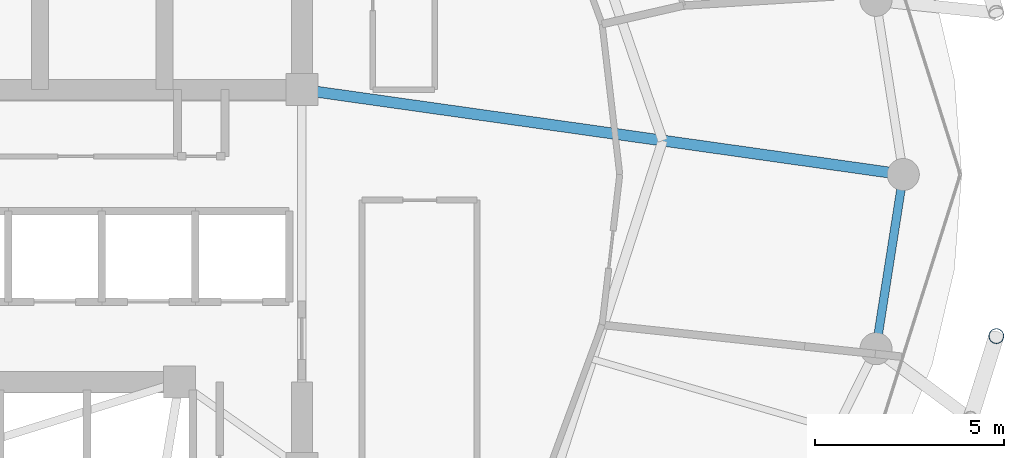
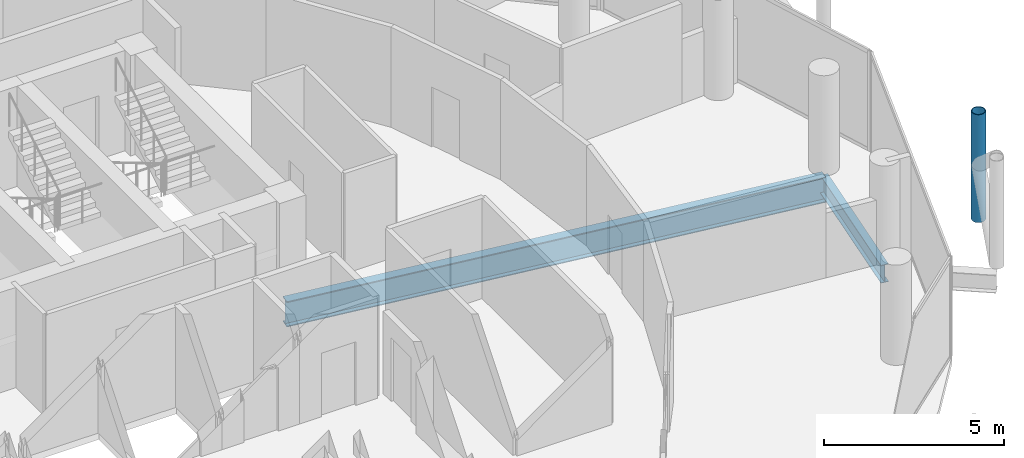
# One storey, part 14 of 27: 2 beams, 1 member.
"""IFC4 building model written with IfcOpenShell, lengths in metres."""

from ifc_helpers import new_model, si_unit, direction, frame, origin, origin_2d, place, context, subcontext, project, spatial, hollow_circle, i_section, extrude, material, material_profile, profile_set, type_object, element, save


model = new_model("IFC4")

# Units and contexts
model_context = context("Model", 3, precision=1e-05, world=origin(), true_north=direction((0.0, 1.0)))
body_context = subcontext(model_context, "Body", "Model", "MODEL_VIEW")
ifc_project = project(units=[si_unit("LENGTHUNIT", "METRE"), si_unit("AREAUNIT", "SQUARE_METRE"), si_unit("VOLUMEUNIT", "CUBIC_METRE"), si_unit("PLANEANGLEUNIT", "RADIAN"), si_unit("MASSUNIT", "GRAM", prefix="KILO")], contexts=[model_context])

# Site, building, storey
site_placement = place(None, origin())
site = spatial("IfcSite", under=ifc_project, at=site_placement, CompositionType="ELEMENT")
building_placement = place(site_placement, origin())
building = spatial("IfcBuilding", under=site, at=building_placement, Name="Nuhasar Tower", CompositionType="ELEMENT")
storey_placement = place(building_placement, frame((0.0, 0.0, 251.949951171875)))
storey = spatial("IfcBuildingStorey", under=building, at=storey_placement, Name="L62", CompositionType="ELEMENT", Elevation=251.949951171875)

# Beams
ifc_material_1 = material(Name="Steel S355", Category="steel")
ifc_material_profile_1 = material_profile(ifc_material_1, i_section(OverallWidth=0.2919921875, OverallDepth=0.85888671875, WebThickness=0.01708984375, FlangeThickness=0.031005859375, at=origin_2d()), Name="W33X169")
ifc_profile_set_1 = profile_set([ifc_material_profile_1], Name="Steel S355")
beam_type_1 = type_object("IfcBeamType", Name="BM-POD-W33X169", PredefinedType="BEAM", material=ifc_profile_set_1)
beam_1_placement = place(storey_placement, frame((44.300048828125, 29.050048828125, -0.6689453125), z_axis=(0.990196233464, -0.139683281866, 0.0), x_axis=(0.139683281866, 0.990196233464, 0.0)))
element("IfcBeam", 1, at=beam_1_placement, inside=storey, type_object=beam_type_1, Name="L62 Radial Floor Girder 04", PredefinedType="BEAM", context=body_context, shape_type="SweptSolid", body=[
    extrude(i_section(OverallWidth=0.2919921875, OverallDepth=0.85888671875, WebThickness=0.01708984375, FlangeThickness=0.031005859375, at=origin_2d()), origin(), (0.0, 0.0, 1.0), 16.10791015625),
])
ifc_material_profile_2 = material_profile(ifc_material_1, i_section(OverallWidth=0.22802734375, OverallDepth=0.60791015625, WebThickness=0.01123046875, FlangeThickness=0.017333984375, at=origin_2d()), Name="W24X76")
ifc_profile_set_2 = profile_set([ifc_material_profile_2], Name="Steel S355")
beam_type_2 = type_object("IfcBeamType", Name="BM-RING-W24X76", PredefinedType="SPANDREL", material=ifc_profile_set_2)
beam_2_placement = place(storey_placement, frame((59.52587890625, 22.179931640625, -0.5439453125), z_axis=(0.154841886404, 0.987939264436, 0.0), x_axis=(-0.987939264436, 0.154841886404, 0.0)))
element("IfcBeam", 2, at=beam_2_placement, inside=storey, type_object=beam_type_2, Name="L62 Perimeter Ring Spandrel 24", PredefinedType="SPANDREL", context=body_context, shape_type="SweptSolid", body=[
    extrude(i_section(OverallWidth=0.22802734375, OverallDepth=0.60791015625, WebThickness=0.01123046875, FlangeThickness=0.017333984375, at=origin_2d()), origin(), (0.0, 0.0, 1.0), 4.676513671875),
])

# Member
ifc_material_2 = material(Name="Steel S460", Category="steel")
ifc_material_profile_3 = material_profile(ifc_material_2, hollow_circle(Radius=0.203125, WallThickness=0.01904296875, at=origin_2d()), Name="HSS406.4X19.1")
ifc_profile_set_3 = profile_set([ifc_material_profile_3], Name="Steel S460")
member_type = type_object("IfcMemberType", Name="EXO-BRONZE-406", PredefinedType="BRACE", material=ifc_profile_set_3)
member_placement = place(storey_placement, frame((62.718017578125, 22.513916015625, 0.0), z_axis=(0.0, 0.0, 1.0), x_axis=(1.0, 0.0, 0.0)))
element("IfcMember", 3, at=member_placement, inside=storey, type_object=member_type, Name="L62 Exoskeleton Chord Column EC-12B", PredefinedType="BRACE", context=body_context, shape_type="SweptSolid", body=[
    extrude(hollow_circle(Radius=0.203125, WallThickness=0.01904296875, at=origin_2d()), origin(), (0.0, 0.0, 1.0), 3.650146484375),
])

save(model, "model.ifc")
